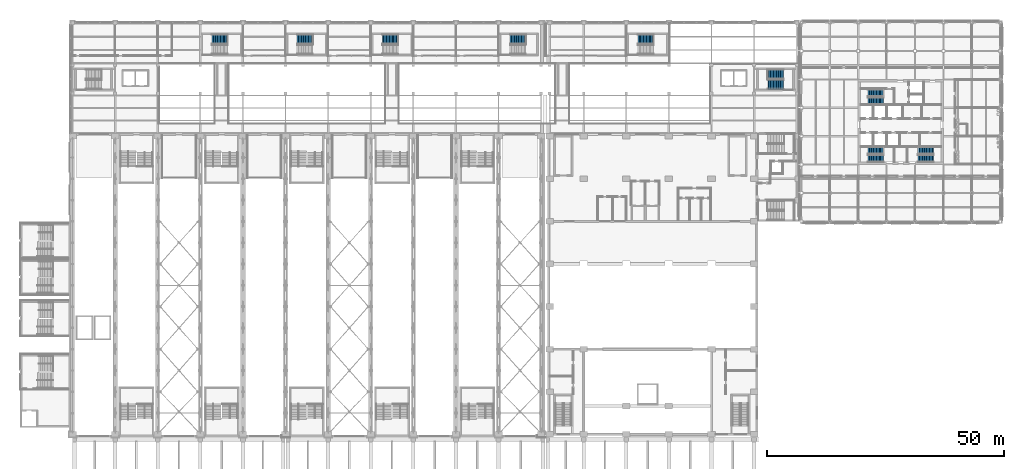
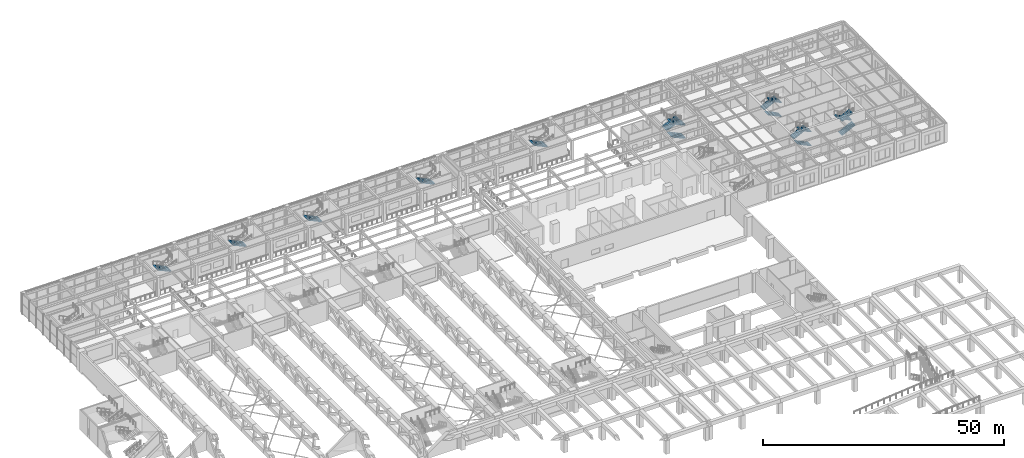
# One storey, part 51 of 76: 17 stair flights, 9 elements without a shape of their own.
"""IFC4 building model written with IfcOpenShell, lengths in metres."""

from ifc_helpers import new_model, si_unit, direction, frame, origin, place, context, subcontext, project, spatial, polyline, outline, extrude, material, type_object, element, aggregate, save


model = new_model("IFC4")

# Units and contexts
model_context = context("Model", 3, precision=1e-05, world=origin(), true_north=direction((0.0, 1.0)))
body_context = subcontext(model_context, "Body", "Model", "MODEL_VIEW")
ifc_project = project(units=[si_unit("LENGTHUNIT", "METRE"), si_unit("AREAUNIT", "SQUARE_METRE"), si_unit("VOLUMEUNIT", "CUBIC_METRE"), si_unit("PLANEANGLEUNIT", "RADIAN"), si_unit("MASSUNIT", "GRAM", prefix="KILO")], contexts=[model_context])

# Site, building, storey
site_placement = place(None, origin())
site = spatial("IfcSite", under=ifc_project, at=site_placement, CompositionType="ELEMENT")
building_placement = place(site_placement, origin())
building = spatial("IfcBuilding", under=site, at=building_placement, Name="Aravalli Gate Trade Fair Centre", CompositionType="ELEMENT")
storey_placement = place(building_placement, frame((0.0, 0.0, 10.0)))
storey = spatial("IfcBuildingStorey", under=building, at=storey_placement, Name="L02", CompositionType="ELEMENT", Elevation=10.0)

# Stair, stair flights
ifc_material = material(Name="Concrete M30", Category="concrete")
stair_type_1 = type_object("IfcStairType", Name="Concourse stair, 2000 wide", PredefinedType="HALF_TURN_STAIR", material=ifc_material)
stair_1_placement = place(storey_placement, origin())
stair_1 = element("IfcStair", 1, at=stair_1_placement, inside=storey, type_object=stair_type_1, Name="Stair ES L02", PredefinedType="HALF_TURN_STAIR")
stair_flight_type_1 = type_object("IfcStairFlightType", Name="Concourse stair flight 2000", PredefinedType="STRAIGHT", material=ifc_material)
stair_flight_1_placement = place(storey_placement, frame((156.199951171875, 119.89990234375, 0.0), z_axis=(0.0, 0.0, 1.0), x_axis=(-1.0, 0.0, 0.0)))
stair_flight_1 = element("IfcStairFlight", 2, at=stair_flight_1_placement, type_object=stair_flight_type_1, Name="STES-L02 flight 1", NumberOfRisers=12, NumberOfTreads=11, PredefinedType="STRAIGHT", RiserHeight=0.138888889, TreadLength=0.3, context=body_context, shape_type="SweptSolid", body=[
    extrude(outline(polyline([(0.0, 0.0), (0.0, 0.138916015625), (0.300048828125, 0.138916015625), (0.300048828125, 0.27783203125), (0.60009765625, 0.27783203125), (0.60009765625, 0.416748046875), (0.89990234375, 0.416748046875), (0.89990234375, 0.5556640625), (1.199951171875, 0.5556640625), (1.199951171875, 0.6943359375), (1.5, 0.6943359375), (1.5, 0.833251953125), (1.800048828125, 0.833251953125), (1.800048828125, 0.97216796875), (2.10009765625, 0.97216796875), (2.10009765625, 1.111083984375), (2.39990234375, 1.111083984375), (2.39990234375, 1.25), (2.699951171875, 1.25), (2.699951171875, 1.388916015625), (3.0, 1.388916015625), (3.0, 1.52783203125), (3.300048828125, 1.52783203125), (3.300048828125, 1.666748046875), (3.300048828125, 1.307373046875), (0.475830078125, 0.0), (0.0, 0.0)])), frame((0.0, 1.0, 0.0), z_axis=(0.0, -1.0, 0.0), x_axis=(1.0, 0.0, 0.0)), (0.0, 0.0, 1.0), 2.0),
])
stair_flight_2_placement = place(storey_placement, frame((152.89990234375, 122.10009765625, 1.666748046875), z_axis=(0.0, 0.0, 1.0), x_axis=(1.0, 0.0, 0.0)))
stair_flight_2 = element("IfcStairFlight", 3, at=stair_flight_2_placement, type_object=stair_flight_type_1, Name="STES-L02 flight 2", NumberOfRisers=12, NumberOfTreads=11, PredefinedType="STRAIGHT", RiserHeight=0.138888889, TreadLength=0.3, context=body_context, shape_type="SweptSolid", body=[
    extrude(outline(polyline([(0.0, 0.0), (0.0, 0.138916015625), (0.300048828125, 0.138916015625), (0.300048828125, 0.27783203125), (0.60009765625, 0.27783203125), (0.60009765625, 0.416748046875), (0.89990234375, 0.416748046875), (0.89990234375, 0.5556640625), (1.199951171875, 0.5556640625), (1.199951171875, 0.6943359375), (1.5, 0.6943359375), (1.5, 0.833251953125), (1.800048828125, 0.833251953125), (1.800048828125, 0.97216796875), (2.10009765625, 0.97216796875), (2.10009765625, 1.111083984375), (2.39990234375, 1.111083984375), (2.39990234375, 1.25), (2.699951171875, 1.25), (2.699951171875, 1.388916015625), (3.0, 1.388916015625), (3.0, 1.52783203125), (3.300048828125, 1.52783203125), (3.300048828125, 1.666748046875), (3.300048828125, 1.307373046875), (0.475830078125, 0.0), (0.0, 0.0)])), frame((0.0, 1.0, 0.0), z_axis=(0.0, -1.0, 0.0), x_axis=(1.0, 0.0, 0.0)), (0.0, 0.0, 1.0), 2.0),
])
stair_flight_3_placement = place(storey_placement, frame((156.199951171875, 119.89990234375, 3.333251953125), z_axis=(0.0, 0.0, 1.0), x_axis=(-1.0, 0.0, 0.0)))
stair_flight_3 = element("IfcStairFlight", 4, at=stair_flight_3_placement, type_object=stair_flight_type_1, Name="STES-L02 flight 3", NumberOfRisers=12, NumberOfTreads=11, PredefinedType="STRAIGHT", RiserHeight=0.138888889, TreadLength=0.3, context=body_context, shape_type="SweptSolid", body=[
    extrude(outline(polyline([(0.0, 0.0), (0.0, 0.138916015625), (0.300048828125, 0.138916015625), (0.300048828125, 0.27783203125), (0.60009765625, 0.27783203125), (0.60009765625, 0.416748046875), (0.89990234375, 0.416748046875), (0.89990234375, 0.5556640625), (1.199951171875, 0.5556640625), (1.199951171875, 0.6943359375), (1.5, 0.6943359375), (1.5, 0.833251953125), (1.800048828125, 0.833251953125), (1.800048828125, 0.97216796875), (2.10009765625, 0.97216796875), (2.10009765625, 1.111083984375), (2.39990234375, 1.111083984375), (2.39990234375, 1.25), (2.699951171875, 1.25), (2.699951171875, 1.388916015625), (3.0, 1.388916015625), (3.0, 1.52783203125), (3.300048828125, 1.52783203125), (3.300048828125, 1.666748046875), (3.300048828125, 1.307373046875), (0.475830078125, 0.0), (0.0, 0.0)])), frame((0.0, 1.0, 0.0), z_axis=(0.0, -1.0, 0.0), x_axis=(1.0, 0.0, 0.0)), (0.0, 0.0, 1.0), 2.0),
])
aggregate(stair_1, [stair_flight_1, stair_flight_2, stair_flight_3])

# Stair, stair flight
stair_2_placement = place(storey_placement, origin())
stair_2 = element("IfcStair", 5, at=stair_2_placement, inside=storey, type_object=stair_type_1, Name="Stair XA L02", PredefinedType="HALF_TURN_STAIR")
stair_flight_4_placement = place(storey_placement, frame((38.75, 129.5, 1.666748046875), z_axis=(0.0, 0.0, 1.0), x_axis=(-1.0, 0.0, 0.0)))
stair_flight_4 = element("IfcStairFlight", 6, at=stair_flight_4_placement, type_object=stair_flight_type_1, Name="STXA-L02 flight 2", NumberOfRisers=12, NumberOfTreads=11, PredefinedType="STRAIGHT", RiserHeight=0.138888889, TreadLength=0.3, context=body_context, shape_type="SweptSolid", body=[
    extrude(outline(polyline([(0.0, 0.0), (0.0, 0.138916015625), (0.300048828125, 0.138916015625), (0.300048828125, 0.27783203125), (0.60009765625, 0.27783203125), (0.60009765625, 0.416748046875), (0.89990234375, 0.416748046875), (0.89990234375, 0.5556640625), (1.199951171875, 0.5556640625), (1.199951171875, 0.6943359375), (1.5, 0.6943359375), (1.5, 0.833251953125), (1.800048828125, 0.833251953125), (1.800048828125, 0.97216796875), (2.10009765625, 0.97216796875), (2.10009765625, 1.111083984375), (2.39990234375, 1.111083984375), (2.39990234375, 1.25), (2.699951171875, 1.25), (2.699951171875, 1.388916015625), (3.0, 1.388916015625), (3.0, 1.52783203125), (3.300048828125, 1.52783203125), (3.300048828125, 1.666748046875), (3.300048828125, 1.307373046875), (0.475830078125, 0.0), (0.0, 0.0)])), frame((0.0, 1.0, 0.0), z_axis=(0.0, -1.0, 0.0), x_axis=(1.0, 0.0, 0.0)), (0.0, 0.0, 1.0), 2.0),
])
aggregate(stair_2, [stair_flight_4])

stair_3_placement = place(storey_placement, origin())
stair_3 = element("IfcStair", 7, at=stair_3_placement, inside=storey, type_object=stair_type_1, Name="Stair XB L02", PredefinedType="HALF_TURN_STAIR")
stair_flight_5_placement = place(storey_placement, frame((56.75, 129.5, 1.666748046875), z_axis=(0.0, 0.0, 1.0), x_axis=(-1.0, 0.0, 0.0)))
stair_flight_5 = element("IfcStairFlight", 8, at=stair_flight_5_placement, type_object=stair_flight_type_1, Name="STXB-L02 flight 2", NumberOfRisers=12, NumberOfTreads=11, PredefinedType="STRAIGHT", RiserHeight=0.138888889, TreadLength=0.3, context=body_context, shape_type="SweptSolid", body=[
    extrude(outline(polyline([(0.0, 0.0), (0.0, 0.138916015625), (0.300048828125, 0.138916015625), (0.300048828125, 0.27783203125), (0.60009765625, 0.27783203125), (0.60009765625, 0.416748046875), (0.89990234375, 0.416748046875), (0.89990234375, 0.5556640625), (1.199951171875, 0.5556640625), (1.199951171875, 0.6943359375), (1.5, 0.6943359375), (1.5, 0.833251953125), (1.800048828125, 0.833251953125), (1.800048828125, 0.97216796875), (2.10009765625, 0.97216796875), (2.10009765625, 1.111083984375), (2.39990234375, 1.111083984375), (2.39990234375, 1.25), (2.699951171875, 1.25), (2.699951171875, 1.388916015625), (3.0, 1.388916015625), (3.0, 1.52783203125), (3.300048828125, 1.52783203125), (3.300048828125, 1.666748046875), (3.300048828125, 1.307373046875), (0.475830078125, 0.0), (0.0, 0.0)])), frame((0.0, 1.0, 0.0), z_axis=(0.0, -1.0, 0.0), x_axis=(1.0, 0.0, 0.0)), (0.0, 0.0, 1.0), 2.0),
])
aggregate(stair_3, [stair_flight_5])

stair_4_placement = place(storey_placement, origin())
stair_4 = element("IfcStair", 9, at=stair_4_placement, inside=storey, type_object=stair_type_1, Name="Stair XC L02", PredefinedType="HALF_TURN_STAIR")
stair_flight_6_placement = place(storey_placement, frame((74.75, 129.5, 1.666748046875), z_axis=(0.0, 0.0, 1.0), x_axis=(-1.0, 0.0, 0.0)))
stair_flight_6 = element("IfcStairFlight", 10, at=stair_flight_6_placement, type_object=stair_flight_type_1, Name="STXC-L02 flight 2", NumberOfRisers=12, NumberOfTreads=11, PredefinedType="STRAIGHT", RiserHeight=0.138888889, TreadLength=0.3, context=body_context, shape_type="SweptSolid", body=[
    extrude(outline(polyline([(0.0, 0.0), (0.0, 0.138916015625), (0.300048828125, 0.138916015625), (0.300048828125, 0.27783203125), (0.60009765625, 0.27783203125), (0.60009765625, 0.416748046875), (0.89990234375, 0.416748046875), (0.89990234375, 0.5556640625), (1.199951171875, 0.5556640625), (1.199951171875, 0.6943359375), (1.5, 0.6943359375), (1.5, 0.833251953125), (1.800048828125, 0.833251953125), (1.800048828125, 0.97216796875), (2.10009765625, 0.97216796875), (2.10009765625, 1.111083984375), (2.39990234375, 1.111083984375), (2.39990234375, 1.25), (2.699951171875, 1.25), (2.699951171875, 1.388916015625), (3.0, 1.388916015625), (3.0, 1.52783203125), (3.300048828125, 1.52783203125), (3.300048828125, 1.666748046875), (3.300048828125, 1.307373046875), (0.475830078125, 0.0), (0.0, 0.0)])), frame((0.0, 1.0, 0.0), z_axis=(0.0, -1.0, 0.0), x_axis=(1.0, 0.0, 0.0)), (0.0, 0.0, 1.0), 2.0),
])
aggregate(stair_4, [stair_flight_6])

stair_5_placement = place(storey_placement, origin())
stair_5 = element("IfcStair", 11, at=stair_5_placement, inside=storey, type_object=stair_type_1, Name="Stair XD L02", PredefinedType="HALF_TURN_STAIR")
stair_flight_7_placement = place(storey_placement, frame((101.75, 129.5, 1.666748046875), z_axis=(0.0, 0.0, 1.0), x_axis=(-1.0, 0.0, 0.0)))
stair_flight_7 = element("IfcStairFlight", 12, at=stair_flight_7_placement, type_object=stair_flight_type_1, Name="STXD-L02 flight 2", NumberOfRisers=12, NumberOfTreads=11, PredefinedType="STRAIGHT", RiserHeight=0.138888889, TreadLength=0.3, context=body_context, shape_type="SweptSolid", body=[
    extrude(outline(polyline([(0.0, 0.0), (0.0, 0.138916015625), (0.300048828125, 0.138916015625), (0.300048828125, 0.27783203125), (0.60009765625, 0.27783203125), (0.60009765625, 0.416748046875), (0.89990234375, 0.416748046875), (0.89990234375, 0.5556640625), (1.199951171875, 0.5556640625), (1.199951171875, 0.6943359375), (1.5, 0.6943359375), (1.5, 0.833251953125), (1.800048828125, 0.833251953125), (1.800048828125, 0.97216796875), (2.10009765625, 0.97216796875), (2.10009765625, 1.111083984375), (2.39990234375, 1.111083984375), (2.39990234375, 1.25), (2.699951171875, 1.25), (2.699951171875, 1.388916015625), (3.0, 1.388916015625), (3.0, 1.52783203125), (3.300048828125, 1.52783203125), (3.300048828125, 1.666748046875), (3.300048828125, 1.307373046875), (0.475830078125, 0.0), (0.0, 0.0)])), frame((0.0, 1.0, 0.0), z_axis=(0.0, -1.0, 0.0), x_axis=(1.0, 0.0, 0.0)), (0.0, 0.0, 1.0), 2.0),
])
aggregate(stair_5, [stair_flight_7])

stair_6_placement = place(storey_placement, origin())
stair_6 = element("IfcStair", 13, at=stair_6_placement, inside=storey, type_object=stair_type_1, Name="Stair XE L02", PredefinedType="HALF_TURN_STAIR")
stair_flight_8_placement = place(storey_placement, frame((128.75, 129.5, 1.666748046875), z_axis=(0.0, 0.0, 1.0), x_axis=(-1.0, 0.0, 0.0)))
stair_flight_8 = element("IfcStairFlight", 14, at=stair_flight_8_placement, type_object=stair_flight_type_1, Name="STXE-L02 flight 2", NumberOfRisers=12, NumberOfTreads=11, PredefinedType="STRAIGHT", RiserHeight=0.138888889, TreadLength=0.3, context=body_context, shape_type="SweptSolid", body=[
    extrude(outline(polyline([(0.0, 0.0), (0.0, 0.138916015625), (0.300048828125, 0.138916015625), (0.300048828125, 0.27783203125), (0.60009765625, 0.27783203125), (0.60009765625, 0.416748046875), (0.89990234375, 0.416748046875), (0.89990234375, 0.5556640625), (1.199951171875, 0.5556640625), (1.199951171875, 0.6943359375), (1.5, 0.6943359375), (1.5, 0.833251953125), (1.800048828125, 0.833251953125), (1.800048828125, 0.97216796875), (2.10009765625, 0.97216796875), (2.10009765625, 1.111083984375), (2.39990234375, 1.111083984375), (2.39990234375, 1.25), (2.699951171875, 1.25), (2.699951171875, 1.388916015625), (3.0, 1.388916015625), (3.0, 1.52783203125), (3.300048828125, 1.52783203125), (3.300048828125, 1.666748046875), (3.300048828125, 1.307373046875), (0.475830078125, 0.0), (0.0, 0.0)])), frame((0.0, 1.0, 0.0), z_axis=(0.0, -1.0, 0.0), x_axis=(1.0, 0.0, 0.0)), (0.0, 0.0, 1.0), 2.0),
])
aggregate(stair_6, [stair_flight_8])

# Stair, stair flights
stair_type_2 = type_object("IfcStairType", Name="Wing core stair", PredefinedType="HALF_TURN_STAIR", material=ifc_material)
stair_7_placement = place(storey_placement, origin())
stair_7 = element("IfcStair", 15, at=stair_7_placement, inside=storey, type_object=stair_type_2, Name="Stair S2 L02", PredefinedType="HALF_TURN_STAIR")
stair_flight_type_2 = type_object("IfcStairFlightType", Name="Wing core stair flight", PredefinedType="STRAIGHT", material=ifc_material)
stair_flight_9_placement = place(storey_placement, frame((177.35009765625, 104.27001953125, 0.0), z_axis=(0.0, 0.0, 1.0), x_axis=(-1.0, 0.0, 0.0)))
stair_flight_9 = element("IfcStairFlight", 16, at=stair_flight_9_placement, type_object=stair_flight_type_2, Name="TST1 flight 1", NumberOfRisers=12, NumberOfTreads=11, PredefinedType="STRAIGHT", RiserHeight=0.147058824, TreadLength=0.3, context=body_context, shape_type="SweptSolid", body=[
    extrude(outline(polyline([(0.0, 0.0), (0.0, 0.14697265625), (0.300048828125, 0.14697265625), (0.300048828125, 0.294189453125), (0.60009765625, 0.294189453125), (0.60009765625, 0.441162109375), (0.89990234375, 0.441162109375), (0.89990234375, 0.588134765625), (1.199951171875, 0.588134765625), (1.199951171875, 0.7353515625), (1.5, 0.7353515625), (1.5, 0.88232421875), (1.800048828125, 0.88232421875), (1.800048828125, 1.029296875), (2.10009765625, 1.029296875), (2.10009765625, 1.176513671875), (2.39990234375, 1.176513671875), (2.39990234375, 1.323486328125), (2.699951171875, 1.323486328125), (2.699951171875, 1.470703125), (3.0, 1.470703125), (3.0, 1.61767578125), (3.300048828125, 1.61767578125), (3.300048828125, 1.7646484375), (3.300048828125, 1.472900390625), (0.295166015625, 0.0), (0.0, 0.0)])), frame((0.0, 0.77001953125, 0.0), z_axis=(0.0, -1.0, 0.0), x_axis=(1.0, 0.0, 0.0)), (0.0, 0.0, 1.0), 1.5400390625),
])
stair_flight_10_placement = place(storey_placement, frame((174.050048828125, 105.929931640625, 1.7646484375), z_axis=(0.0, 0.0, 1.0), x_axis=(1.0, 0.0, 0.0)))
stair_flight_10 = element("IfcStairFlight", 17, at=stair_flight_10_placement, type_object=stair_flight_type_2, Name="TST1 flight 2", NumberOfRisers=12, NumberOfTreads=11, PredefinedType="STRAIGHT", RiserHeight=0.147058824, TreadLength=0.3, context=body_context, shape_type="SweptSolid", body=[
    extrude(outline(polyline([(0.0, 0.0), (0.0, 0.14697265625), (0.300048828125, 0.14697265625), (0.300048828125, 0.294189453125), (0.60009765625, 0.294189453125), (0.60009765625, 0.441162109375), (0.89990234375, 0.441162109375), (0.89990234375, 0.588134765625), (1.199951171875, 0.588134765625), (1.199951171875, 0.7353515625), (1.5, 0.7353515625), (1.5, 0.88232421875), (1.800048828125, 0.88232421875), (1.800048828125, 1.029296875), (2.10009765625, 1.029296875), (2.10009765625, 1.176513671875), (2.39990234375, 1.176513671875), (2.39990234375, 1.323486328125), (2.699951171875, 1.323486328125), (2.699951171875, 1.470703125), (3.0, 1.470703125), (3.0, 1.61767578125), (3.300048828125, 1.61767578125), (3.300048828125, 1.7646484375), (3.300048828125, 1.472900390625), (0.295166015625, 0.0), (0.0, 0.0)])), frame((0.0, 0.77001953125, 0.0), z_axis=(0.0, -1.0, 0.0), x_axis=(1.0, 0.0, 0.0)), (0.0, 0.0, 1.0), 1.5400390625),
])
stair_flight_11_placement = place(storey_placement, frame((177.35009765625, 104.27001953125, 3.529296875), z_axis=(0.0, 0.0, 1.0), x_axis=(-1.0, 0.0, 0.0)))
stair_flight_11 = element("IfcStairFlight", 18, at=stair_flight_11_placement, type_object=stair_flight_type_2, Name="TST1 flight 3", NumberOfRisers=10, NumberOfTreads=9, PredefinedType="STRAIGHT", RiserHeight=0.147058824, TreadLength=0.3, context=body_context, shape_type="SweptSolid", body=[
    extrude(outline(polyline([(0.0, 0.0), (0.0, 0.14697265625), (0.300048828125, 0.14697265625), (0.300048828125, 0.294189453125), (0.60009765625, 0.294189453125), (0.60009765625, 0.441162109375), (0.89990234375, 0.441162109375), (0.89990234375, 0.588134765625), (1.199951171875, 0.588134765625), (1.199951171875, 0.7353515625), (1.5, 0.7353515625), (1.5, 0.88232421875), (1.800048828125, 0.88232421875), (1.800048828125, 1.029296875), (2.10009765625, 1.029296875), (2.10009765625, 1.176513671875), (2.39990234375, 1.176513671875), (2.39990234375, 1.323486328125), (2.699951171875, 1.323486328125), (2.699951171875, 1.470703125), (2.699951171875, 1.178955078125), (0.295166015625, 0.0), (0.0, 0.0)])), frame((0.0, 0.77001953125, 0.0), z_axis=(0.0, -1.0, 0.0), x_axis=(1.0, 0.0, 0.0)), (0.0, 0.0, 1.0), 1.5400390625),
])
aggregate(stair_7, [stair_flight_9, stair_flight_10, stair_flight_11])

stair_8_placement = place(storey_placement, origin())
stair_8 = element("IfcStair", 19, at=stair_8_placement, inside=storey, type_object=stair_type_2, Name="Stair S1 L02", PredefinedType="HALF_TURN_STAIR")
stair_flight_12_placement = place(storey_placement, frame((184.64990234375, 104.27001953125, 0.0), z_axis=(0.0, 0.0, 1.0), x_axis=(1.0, 0.0, 0.0)))
stair_flight_12 = element("IfcStairFlight", 20, at=stair_flight_12_placement, type_object=stair_flight_type_2, Name="TST1 flight 1", NumberOfRisers=12, NumberOfTreads=11, PredefinedType="STRAIGHT", RiserHeight=0.147058824, TreadLength=0.3, context=body_context, shape_type="SweptSolid", body=[
    extrude(outline(polyline([(0.0, 0.0), (0.0, 0.14697265625), (0.300048828125, 0.14697265625), (0.300048828125, 0.294189453125), (0.60009765625, 0.294189453125), (0.60009765625, 0.441162109375), (0.89990234375, 0.441162109375), (0.89990234375, 0.588134765625), (1.199951171875, 0.588134765625), (1.199951171875, 0.7353515625), (1.5, 0.7353515625), (1.5, 0.88232421875), (1.800048828125, 0.88232421875), (1.800048828125, 1.029296875), (2.10009765625, 1.029296875), (2.10009765625, 1.176513671875), (2.39990234375, 1.176513671875), (2.39990234375, 1.323486328125), (2.699951171875, 1.323486328125), (2.699951171875, 1.470703125), (3.0, 1.470703125), (3.0, 1.61767578125), (3.300048828125, 1.61767578125), (3.300048828125, 1.7646484375), (3.300048828125, 1.472900390625), (0.295166015625, 0.0), (0.0, 0.0)])), frame((0.0, 0.77001953125, 0.0), z_axis=(0.0, -1.0, 0.0), x_axis=(1.0, 0.0, 0.0)), (0.0, 0.0, 1.0), 1.5400390625),
])
stair_flight_13_placement = place(storey_placement, frame((187.949951171875, 105.929931640625, 1.7646484375), z_axis=(0.0, 0.0, 1.0), x_axis=(-1.0, 0.0, 0.0)))
stair_flight_13 = element("IfcStairFlight", 21, at=stair_flight_13_placement, type_object=stair_flight_type_2, Name="TST1 flight 2", NumberOfRisers=12, NumberOfTreads=11, PredefinedType="STRAIGHT", RiserHeight=0.147058824, TreadLength=0.3, context=body_context, shape_type="SweptSolid", body=[
    extrude(outline(polyline([(0.0, 0.0), (0.0, 0.14697265625), (0.300048828125, 0.14697265625), (0.300048828125, 0.294189453125), (0.60009765625, 0.294189453125), (0.60009765625, 0.441162109375), (0.89990234375, 0.441162109375), (0.89990234375, 0.588134765625), (1.199951171875, 0.588134765625), (1.199951171875, 0.7353515625), (1.5, 0.7353515625), (1.5, 0.88232421875), (1.800048828125, 0.88232421875), (1.800048828125, 1.029296875), (2.10009765625, 1.029296875), (2.10009765625, 1.176513671875), (2.39990234375, 1.176513671875), (2.39990234375, 1.323486328125), (2.699951171875, 1.323486328125), (2.699951171875, 1.470703125), (3.0, 1.470703125), (3.0, 1.61767578125), (3.300048828125, 1.61767578125), (3.300048828125, 1.7646484375), (3.300048828125, 1.472900390625), (0.295166015625, 0.0), (0.0, 0.0)])), frame((0.0, 0.77001953125, 0.0), z_axis=(0.0, -1.0, 0.0), x_axis=(1.0, 0.0, 0.0)), (0.0, 0.0, 1.0), 1.5400390625),
])
stair_flight_14_placement = place(storey_placement, frame((184.64990234375, 104.27001953125, 3.529296875), z_axis=(0.0, 0.0, 1.0), x_axis=(1.0, 0.0, 0.0)))
stair_flight_14 = element("IfcStairFlight", 22, at=stair_flight_14_placement, type_object=stair_flight_type_2, Name="TST1 flight 3", NumberOfRisers=10, NumberOfTreads=9, PredefinedType="STRAIGHT", RiserHeight=0.147058824, TreadLength=0.3, context=body_context, shape_type="SweptSolid", body=[
    extrude(outline(polyline([(0.0, 0.0), (0.0, 0.14697265625), (0.300048828125, 0.14697265625), (0.300048828125, 0.294189453125), (0.60009765625, 0.294189453125), (0.60009765625, 0.441162109375), (0.89990234375, 0.441162109375), (0.89990234375, 0.588134765625), (1.199951171875, 0.588134765625), (1.199951171875, 0.7353515625), (1.5, 0.7353515625), (1.5, 0.88232421875), (1.800048828125, 0.88232421875), (1.800048828125, 1.029296875), (2.10009765625, 1.029296875), (2.10009765625, 1.176513671875), (2.39990234375, 1.176513671875), (2.39990234375, 1.323486328125), (2.699951171875, 1.323486328125), (2.699951171875, 1.470703125), (2.699951171875, 1.178955078125), (0.295166015625, 0.0), (0.0, 0.0)])), frame((0.0, 0.77001953125, 0.0), z_axis=(0.0, -1.0, 0.0), x_axis=(1.0, 0.0, 0.0)), (0.0, 0.0, 1.0), 1.5400390625),
])
aggregate(stair_8, [stair_flight_12, stair_flight_13, stair_flight_14])

stair_9_placement = place(storey_placement, origin())
stair_9 = element("IfcStair", 23, at=stair_9_placement, inside=storey, type_object=stair_type_2, Name="Stair FFS L02", PredefinedType="HALF_TURN_STAIR")
stair_flight_15_placement = place(storey_placement, frame((177.35009765625, 116.469970703125, 0.0), z_axis=(0.0, 0.0, 1.0), x_axis=(-1.0, 0.0, 0.0)))
stair_flight_15 = element("IfcStairFlight", 24, at=stair_flight_15_placement, type_object=stair_flight_type_2, Name="TST1 flight 1", NumberOfRisers=12, NumberOfTreads=11, PredefinedType="STRAIGHT", RiserHeight=0.147058824, TreadLength=0.3, context=body_context, shape_type="SweptSolid", body=[
    extrude(outline(polyline([(0.0, 0.0), (0.0, 0.14697265625), (0.300048828125, 0.14697265625), (0.300048828125, 0.294189453125), (0.60009765625, 0.294189453125), (0.60009765625, 0.441162109375), (0.89990234375, 0.441162109375), (0.89990234375, 0.588134765625), (1.199951171875, 0.588134765625), (1.199951171875, 0.7353515625), (1.5, 0.7353515625), (1.5, 0.88232421875), (1.800048828125, 0.88232421875), (1.800048828125, 1.029296875), (2.10009765625, 1.029296875), (2.10009765625, 1.176513671875), (2.39990234375, 1.176513671875), (2.39990234375, 1.323486328125), (2.699951171875, 1.323486328125), (2.699951171875, 1.470703125), (3.0, 1.470703125), (3.0, 1.61767578125), (3.300048828125, 1.61767578125), (3.300048828125, 1.7646484375), (3.300048828125, 1.472900390625), (0.295166015625, 0.0), (0.0, 0.0)])), frame((0.0, 0.77001953125, 0.0), z_axis=(0.0, -1.0, 0.0), x_axis=(1.0, 0.0, 0.0)), (0.0, 0.0, 1.0), 1.5400390625),
])
stair_flight_16_placement = place(storey_placement, frame((174.050048828125, 118.1298828125, 1.7646484375), z_axis=(0.0, 0.0, 1.0), x_axis=(1.0, 0.0, 0.0)))
stair_flight_16 = element("IfcStairFlight", 25, at=stair_flight_16_placement, type_object=stair_flight_type_2, Name="TST1 flight 2", NumberOfRisers=12, NumberOfTreads=11, PredefinedType="STRAIGHT", RiserHeight=0.147058824, TreadLength=0.3, context=body_context, shape_type="SweptSolid", body=[
    extrude(outline(polyline([(0.0, 0.0), (0.0, 0.14697265625), (0.300048828125, 0.14697265625), (0.300048828125, 0.294189453125), (0.60009765625, 0.294189453125), (0.60009765625, 0.441162109375), (0.89990234375, 0.441162109375), (0.89990234375, 0.588134765625), (1.199951171875, 0.588134765625), (1.199951171875, 0.7353515625), (1.5, 0.7353515625), (1.5, 0.88232421875), (1.800048828125, 0.88232421875), (1.800048828125, 1.029296875), (2.10009765625, 1.029296875), (2.10009765625, 1.176513671875), (2.39990234375, 1.176513671875), (2.39990234375, 1.323486328125), (2.699951171875, 1.323486328125), (2.699951171875, 1.470703125), (3.0, 1.470703125), (3.0, 1.61767578125), (3.300048828125, 1.61767578125), (3.300048828125, 1.7646484375), (3.300048828125, 1.472900390625), (0.295166015625, 0.0), (0.0, 0.0)])), frame((0.0, 0.77001953125, 0.0), z_axis=(0.0, -1.0, 0.0), x_axis=(1.0, 0.0, 0.0)), (0.0, 0.0, 1.0), 1.5400390625),
])
stair_flight_17_placement = place(storey_placement, frame((177.35009765625, 116.469970703125, 3.529296875), z_axis=(0.0, 0.0, 1.0), x_axis=(-1.0, 0.0, 0.0)))
stair_flight_17 = element("IfcStairFlight", 26, at=stair_flight_17_placement, type_object=stair_flight_type_2, Name="TST1 flight 3", NumberOfRisers=10, NumberOfTreads=9, PredefinedType="STRAIGHT", RiserHeight=0.147058824, TreadLength=0.3, context=body_context, shape_type="SweptSolid", body=[
    extrude(outline(polyline([(0.0, 0.0), (0.0, 0.14697265625), (0.300048828125, 0.14697265625), (0.300048828125, 0.294189453125), (0.60009765625, 0.294189453125), (0.60009765625, 0.441162109375), (0.89990234375, 0.441162109375), (0.89990234375, 0.588134765625), (1.199951171875, 0.588134765625), (1.199951171875, 0.7353515625), (1.5, 0.7353515625), (1.5, 0.88232421875), (1.800048828125, 0.88232421875), (1.800048828125, 1.029296875), (2.10009765625, 1.029296875), (2.10009765625, 1.176513671875), (2.39990234375, 1.176513671875), (2.39990234375, 1.323486328125), (2.699951171875, 1.323486328125), (2.699951171875, 1.470703125), (2.699951171875, 1.178955078125), (0.295166015625, 0.0), (0.0, 0.0)])), frame((0.0, 0.77001953125, 0.0), z_axis=(0.0, -1.0, 0.0), x_axis=(1.0, 0.0, 0.0)), (0.0, 0.0, 1.0), 1.5400390625),
])
aggregate(stair_9, [stair_flight_15, stair_flight_16, stair_flight_17])

save(model, "model.ifc")
